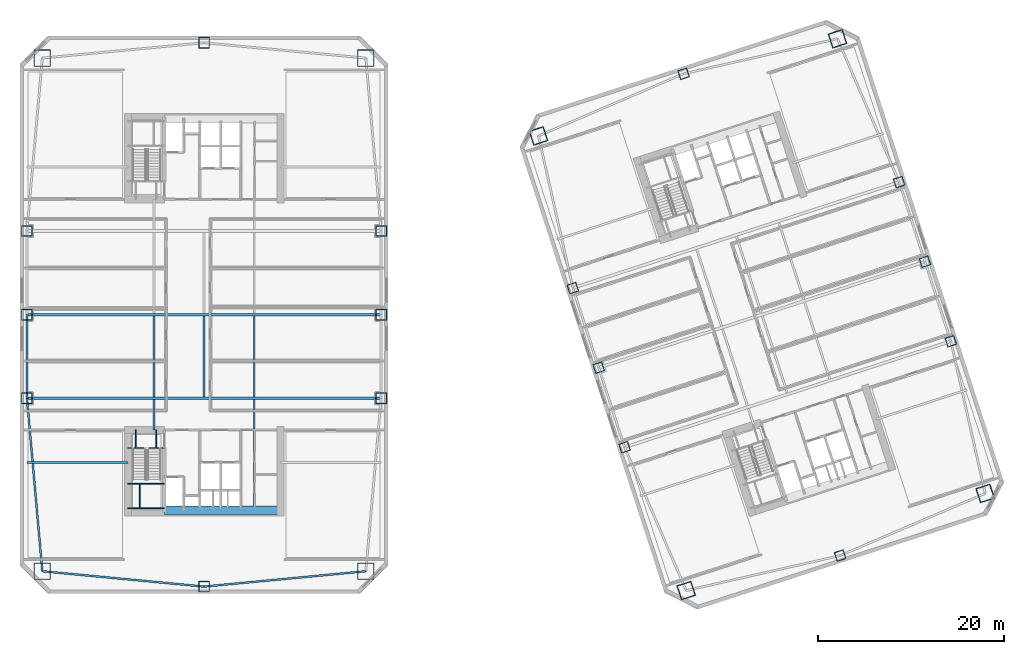
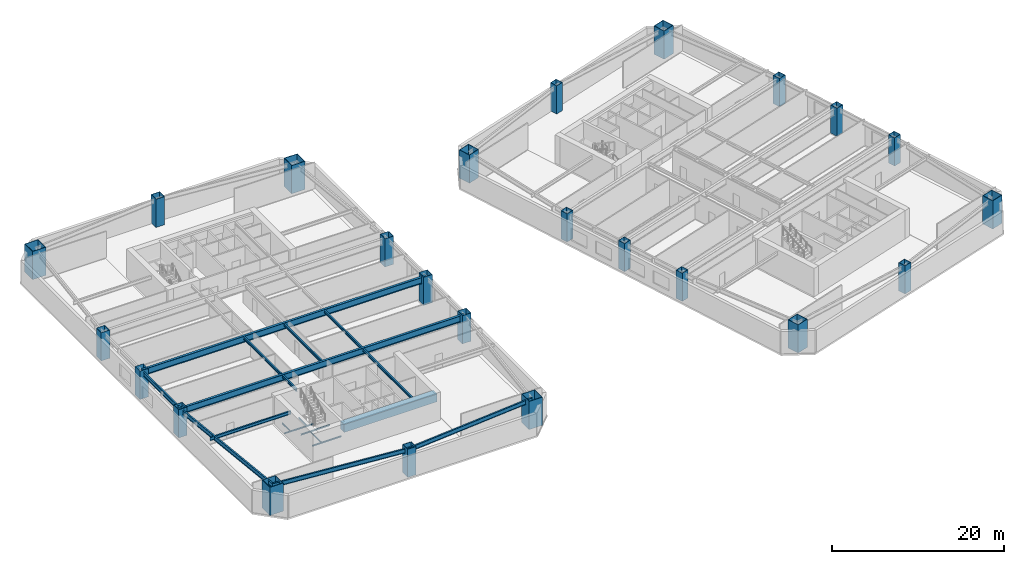
# One storey, part 1 of 24: 24 columns, 19 beams.
"""IFC4 building model written with IfcOpenShell, lengths in metres."""

import ifcopenshell
import ifcopenshell.guid

model = None  # the IFC model being written
_history = None  # IfcOwnerHistory: only IFC2X3 demands one
_inside = {}  # id of a spatial element -> (the spatial element, [elements in it])
_under = {}  # id of a project, library or spatial element -> (it, [spatial elements below it])
_declared = {}  # id of a project -> (the project, [libraries it declares])
_typed = {}  # id of a type object -> (the type object, [elements of that type])
_made_of = {}  # id of a material, layer set ... -> (it, [elements and type objects made of it])


def new_model(schema):
    """Start an empty IFC model of exactly this schema.

    Asked for "IFC4X3", IfcOpenShell would pick the latest addendum, in which some entities
    have other attributes; the version numbers below select the first issue.
    IFC2X3 requires an IfcOwnerHistory on every rooted entity: one is made here for all.
    """
    global model, _history
    if schema == "IFC4X3":
        model = ifcopenshell.file(schema_version=(4, 3, 0, 0))
    else:
        model = ifcopenshell.file(schema=schema)
    _inside.clear()
    _under.clear()
    _declared.clear()
    _typed.clear()
    _made_of.clear()
    _history = None
    if model.schema == "IFC2X3":
        org = make("IfcOrganization", Name="unknown")
        user = make(
            "IfcPersonAndOrganization",
            ThePerson=make("IfcPerson", FamilyName="unknown"),
            TheOrganization=org,
        )
        app = make(
            "IfcApplication",
            ApplicationDeveloper=org,
            Version="unknown",
            ApplicationFullName="unknown",
            ApplicationIdentifier="unknown",
        )
        _history = make(
            "IfcOwnerHistory",
            OwningUser=user,
            OwningApplication=app,
            ChangeAction="ADDED",
            CreationDate=0,
        )
    return model


def make(cls, **values):
    """One entity of the class cls with the attributes given. An attribute that is None is left unset."""
    return model.create_entity(
        cls, **{name: value for name, value in values.items() if value is not None}
    )


def rooted(cls, **values):
    """An entity with a GlobalId (a new one), such as an element, a storey or a relation."""
    return make(cls, GlobalId=ifcopenshell.guid.new(), OwnerHistory=_history, **values)


def si_unit(unit_type, name, prefix=None):
    """IfcSIUnit, for example si_unit("LENGTHUNIT", "METRE", prefix="MILLI")."""
    return make("IfcSIUnit", UnitType=unit_type, Prefix=prefix, Name=name)


def assignment(units):
    """IfcUnitAssignment: the units of a project."""
    return None if units is None else make("IfcUnitAssignment", Units=units)


def point(xyz):
    """IfcCartesianPoint."""
    return None if xyz is None else make("IfcCartesianPoint", Coordinates=xyz)


def direction(xyz):
    """IfcDirection."""
    return None if xyz is None else make("IfcDirection", DirectionRatios=xyz)


def frame(location, z_axis=None, x_axis=None):
    """IfcAxis2Placement3D, a coordinate frame: its origin and axes. An axis left out is left unset."""
    return make(
        "IfcAxis2Placement3D",
        Location=point(location),
        Axis=direction(z_axis),
        RefDirection=direction(x_axis),
    )


def frame_2d(location, x_axis=None):
    """IfcAxis2Placement2D, a coordinate frame in the plane: its origin and x axis."""
    return make(
        "IfcAxis2Placement2D", Location=point(location), RefDirection=direction(x_axis)
    )


def origin():
    """The frame at (0, 0, 0) with its axes left unset."""
    return frame((0.0, 0.0, 0.0))


def origin_2d():
    """The frame at (0, 0) in the plane with its x axis left unset."""
    return frame_2d((0.0, 0.0))


def place(relative_to, where):
    """IfcLocalPlacement: puts the frame where relative to a parent placement (None: the world)."""
    return make(
        "IfcLocalPlacement", PlacementRelTo=relative_to, RelativePlacement=where
    )


def context(
    kind, dimensions, precision=None, world=None, true_north=None, identifier=None
):
    """IfcGeometricRepresentationContext, for example the 3D "Model" context."""
    return make(
        "IfcGeometricRepresentationContext",
        ContextIdentifier=identifier,
        ContextType=kind,
        CoordinateSpaceDimension=dimensions,
        Precision=precision,
        WorldCoordinateSystem=world,
        TrueNorth=true_north,
    )


def subcontext(parent, identifier, kind, view, scale=None):
    """IfcGeometricRepresentationSubContext, for example "Body" below "Model"."""
    return make(
        "IfcGeometricRepresentationSubContext",
        ContextIdentifier=identifier,
        ContextType=kind,
        ParentContext=parent,
        TargetScale=scale,
        TargetView=view,
    )


def project(units=None, contexts=None):
    """IfcProject with its units and contexts."""
    return rooted(
        "IfcProject",
        Name="project",
        RepresentationContexts=contexts,
        UnitsInContext=assignment(units),
    )


def spatial(cls, under=None, at=None, **own):
    """A site, building, storey or space (cls), placed at a placement, below another one or the project."""
    s = rooted(cls, ObjectPlacement=at, **own)
    if under is not None:
        _under.setdefault(under.id(), (under, []))[1].append(s)
    return s


def profile(cls, at=None, kind="AREA", **sizes):
    """A parametric profile (cls). Its sizes go by their IFC names, for example OverallWidth=200.0."""
    return make(cls, ProfileType=kind, Position=at, **sizes)


def rectangle(**sizes):
    """IfcRectangleProfileDef."""
    return profile("IfcRectangleProfileDef", **sizes)


def hollow_rectangle(**sizes):
    """IfcRectangleHollowProfileDef."""
    return profile("IfcRectangleHollowProfileDef", **sizes)


def i_section(**sizes):
    """IfcIShapeProfileDef."""
    return profile("IfcIShapeProfileDef", **sizes)


def extrude(swept, where, along, depth):
    """IfcExtrudedAreaSolid: the profile swept, set in the frame where, extruded along a direction by depth."""
    return make(
        "IfcExtrudedAreaSolid",
        SweptArea=swept,
        Position=where,
        ExtrudedDirection=direction(along),
        Depth=depth,
    )


def shape(context_of_items, identifier, shape_type, items):
    """IfcShapeRepresentation: the items that make up one representation, for example the "Body"."""
    return make(
        "IfcShapeRepresentation",
        ContextOfItems=context_of_items,
        RepresentationIdentifier=identifier,
        RepresentationType=shape_type,
        Items=items,
    )


def material(Name=None, Category=None):
    """IfcMaterial."""
    return make("IfcMaterial", Name=Name, Category=Category)


def material_profile(
    of_material, cross_section, Name=None, Category=None, Priority=None
):
    """IfcMaterialProfile: a cross section and its material."""
    return make(
        "IfcMaterialProfile",
        Name=Name,
        Material=of_material,
        Profile=cross_section,
        Priority=Priority,
        Category=Category,
    )


def profile_set(profiles, Name=None, composite=None):
    """IfcMaterialProfileSet."""
    return make(
        "IfcMaterialProfileSet",
        Name=Name,
        MaterialProfiles=profiles,
        CompositeProfile=composite,
    )


def made_of(thing, what):
    """Note that an element or type object is made of a material, layer set ...; save() writes the relation."""
    if what is not None:
        _made_of.setdefault(what.id(), (what, []))[1].append(thing)
    return thing


def type_object(cls, material=None, **own):
    """A type object (cls), such as IfcWallType, which elements share."""
    return made_of(rooted(cls, **own), material)


def element(
    cls,
    number,
    at=None,
    inside=None,
    cuts=None,
    type_object=None,
    material=None,
    context=None,
    identifier="Body",
    shape_type=None,
    held_by="IfcProductDefinitionShape",
    body=None,
    shapes=None,
    **own,
):
    """One element of the class cls, such as IfcWall. Its Tag is "e" and its number.

    at: its placement. inside: the storey or other place that contains it. cuts: it is an
    opening in that element (IfcRelVoidsElement). A single representation is given by context,
    identifier, shape_type and body (its items); several are given by shapes. held_by: the class
    of the entity that holds the representations. save() writes the other relations.
    """
    e = rooted(cls, Tag="e%d" % number, ObjectPlacement=at, **own)
    if body is not None:
        shapes = [shape(context, identifier, shape_type, body)]
    if shapes is not None:
        e.Representation = make(held_by, Representations=shapes)
    if inside is not None:
        _inside.setdefault(inside.id(), (inside, []))[1].append(e)
    if cuts is not None:
        rooted(
            "IfcRelVoidsElement", RelatingBuildingElement=cuts, RelatedOpeningElement=e
        )
    if type_object is not None:
        _typed.setdefault(type_object.id(), (type_object, []))[1].append(e)
    return made_of(e, material)


def aggregate(whole, parts):
    """IfcRelAggregates: a whole, such as a stair, and the parts it consists of."""
    return rooted("IfcRelAggregates", RelatingObject=whole, RelatedObjects=parts)


def save(model, path):
    """Write the relations noted so far, then the file.

    IfcRelAggregates (storeys below a building ...), IfcRelContainedInSpatialStructure (elements
    in a storey), IfcRelDefinesByType, IfcRelAssociatesMaterial and IfcRelDeclares: one each for
    every whole, place, type object, material and project.
    """
    for whole, parts in _under.values():
        aggregate(whole, parts)
    for where, things in _inside.values():
        rooted(
            "IfcRelContainedInSpatialStructure",
            RelatedElements=things,
            RelatingStructure=where,
        )
    for kind, things in _typed.values():
        rooted("IfcRelDefinesByType", RelatedObjects=things, RelatingType=kind)
    for what, things in _made_of.values():
        rooted("IfcRelAssociatesMaterial", RelatedObjects=things, RelatingMaterial=what)
    for by, libraries in _declared.values():
        rooted("IfcRelDeclares", RelatingContext=by, RelatedDefinitions=libraries)
    model.write(path)


model = new_model("IFC4")

# Units and contexts
model_context = context("Model", 3, precision=1e-05, world=origin(), true_north=direction((0.0, 1.0)))
body_context = subcontext(model_context, "Body", "Model", "MODEL_VIEW")
ifc_project = project(units=[si_unit("LENGTHUNIT", "METRE"), si_unit("AREAUNIT", "SQUARE_METRE"), si_unit("VOLUMEUNIT", "CUBIC_METRE"), si_unit("PLANEANGLEUNIT", "RADIAN"), si_unit("MASSUNIT", "GRAM", prefix="KILO")], contexts=[model_context])

# Site, building, storey
site_placement = place(None, origin())
site = spatial("IfcSite", under=ifc_project, at=site_placement, CompositionType="ELEMENT")
building_placement = place(site_placement, origin())
building = spatial("IfcBuilding", under=site, at=building_placement, Name="Qiaolan Cultural Towers", CompositionType="ELEMENT")
storey_placement = place(building_placement, frame((0.0, 0.0, 30.0)))
storey = spatial("IfcBuildingStorey", under=building, at=storey_placement, Name="L06", CompositionType="ELEMENT", Elevation=30.0)

# Columns
ifc_material_1 = material(Name="Steel Q355B", Category="steel")
ifc_material_profile_1 = material_profile(ifc_material_1, hollow_rectangle(XDim=1.0, YDim=1.0, WallThickness=0.035888671875, at=origin_2d()), Name="BOX1000x1000x36")
ifc_profile_set_1 = profile_set([ifc_material_profile_1], Name="Steel Q355B")
column_type_1 = type_object("IfcColumnType", Name="COL-BOX1000x1000x36", PredefinedType="COLUMN", material=ifc_profile_set_1)
for number, where, z_axis, x_axis, name in (
    (1, (75.234130859375, 19.739013671875, 0.0), (0.0, 0.0, 1.0), (0.951056516295, 0.309016994375, 0.0), "L06 T2 Perimeter Column PC-W1"),
    (2, (72.453125, 28.298583984375, 0.0), (0.0, 0.0, 1.0), (0.951056516295, 0.309016994375, 0.0), "L06 T2 Perimeter Column PC-W2"),
    (3, (69.671875, 36.858154296875, 0.0), (0.0, 0.0, 1.0), (0.951056516295, 0.309016994375, 0.0), "L06 T2 Perimeter Column PC-W3"),
    (4, (110.328125, 31.141845703125, 0.0), (0.0, 0.0, 1.0), (0.951056516295, 0.309016994375, 0.0), "L06 T2 Perimeter Column PC-E1"),
    (5, (107.546875, 39.701416015625, 0.0), (0.0, 0.0, 1.0), (0.951056516295, 0.309016994375, 0.0), "L06 T2 Perimeter Column PC-E2"),
    (6, (104.765869140625, 48.260986328125, 0.0), (0.0, 0.0, 1.0), (0.951056516295, 0.309016994375, 0.0), "L06 T2 Perimeter Column PC-E3"),
    (7, (98.420654296875, 8.083740234375, 0.0), (0.0, 0.0, 1.0), (0.951056516295, 0.309016994375, 0.0), "L06 T2 Perimeter Column PC-S0"),
    (8, (81.579345703125, 59.916259765625, 0.0), (0.0, 0.0, 1.0), (0.951056516295, 0.309016994375, 0.0), "L06 T2 Perimeter Column PC-N0"),
):
    element("IfcColumn", number, at=place(storey_placement, frame(where, z_axis=z_axis, x_axis=x_axis)), inside=storey, type_object=column_type_1, Name=name, PredefinedType="COLUMN", context=body_context, shape_type="SweptSolid", body=[
        extrude(hollow_rectangle(XDim=1.0, YDim=1.0, WallThickness=0.035888671875, at=origin_2d()), origin(), (0.0, 0.0, 1.0), 4.0009765625),
    ])
ifc_material_2 = material(Name="Steel Q390GJB", Category="steel")
ifc_material_profile_2 = material_profile(ifc_material_2, hollow_rectangle(XDim=1.14990234375, YDim=1.14990234375, WallThickness=0.0400390625, at=origin_2d()), Name="BOX1150x1150x40")
ifc_profile_set_2 = profile_set([ifc_material_profile_2], Name="Steel Q390GJB")
column_type_2 = type_object("IfcColumnType", Name="COL-BOX1150x1150x40", PredefinedType="COLUMN", material=ifc_profile_set_2)
for number, where, z_axis, x_axis, name in (
    (9, (10.949951171875, 25.0, 0.0), (0.0, 0.0, 1.0), (1.0, 0.0, 0.0), "L06 T1 Perimeter Column PC-W1"),
    (10, (10.949951171875, 34.0, 0.0), (0.0, 0.0, 1.0), (1.0, 0.0, 0.0), "L06 T1 Perimeter Column PC-W2"),
    (11, (10.949951171875, 43.0, 0.0), (0.0, 0.0, 1.0), (1.0, 0.0, 0.0), "L06 T1 Perimeter Column PC-W3"),
    (12, (49.050048828125, 25.0, 0.0), (0.0, 0.0, 1.0), (1.0, 0.0, 0.0), "L06 T1 Perimeter Column PC-E1"),
    (13, (49.050048828125, 34.0, 0.0), (0.0, 0.0, 1.0), (1.0, 0.0, 0.0), "L06 T1 Perimeter Column PC-E2"),
    (14, (49.050048828125, 43.0, 0.0), (0.0, 0.0, 1.0), (1.0, 0.0, 0.0), "L06 T1 Perimeter Column PC-E3"),
    (15, (30.0, 4.75, 0.0), (0.0, 0.0, 1.0), (1.0, 0.0, 0.0), "L06 T1 Perimeter Column PC-S0"),
    (16, (30.0, 63.25, 0.0), (0.0, 0.0, 1.0), (1.0, 0.0, 0.0), "L06 T1 Perimeter Column PC-N0"),
):
    element("IfcColumn", number, at=place(storey_placement, frame(where, z_axis=z_axis, x_axis=x_axis)), inside=storey, type_object=column_type_2, Name=name, PredefinedType="COLUMN", context=body_context, shape_type="SweptSolid", body=[
        extrude(hollow_rectangle(XDim=1.14990234375, YDim=1.14990234375, WallThickness=0.0400390625, at=origin_2d()), origin(), (0.0, 0.0, 1.0), 4.0009765625),
    ])
ifc_material_3 = material(Name="Steel Q420GJB", Category="steel")
ifc_material_profile_3 = material_profile(ifc_material_3, hollow_rectangle(XDim=1.60009765625, YDim=1.60009765625, WallThickness=0.054931640625, at=origin_2d()), Name="BOX1600x1600x55")
ifc_profile_set_3 = profile_set([ifc_material_profile_3], Name="Steel Q420GJB")
column_type_3 = type_object("IfcColumnType", Name="COL-BOX1600x1600x55", PredefinedType="COLUMN", material=ifc_profile_set_3)
for number, where, z_axis, x_axis, name in (
    (17, (81.862548828125, 4.32275390625, 0.0), (0.0, 0.0, 1.0), (0.951056516295, 0.309016994375, 0.0), "L06 T2 Perimeter Column MC-SW"),
    (18, (114.027099609375, 14.77392578125, 0.0), (0.0, 0.0, 1.0), (0.951056516295, 0.309016994375, 0.0), "L06 T2 Perimeter Column MC-SE"),
    (19, (98.137451171875, 63.67724609375, 0.0), (0.0, 0.0, 1.0), (0.951056516295, 0.309016994375, 0.0), "L06 T2 Perimeter Column MC-NE"),
    (20, (65.972900390625, 53.22607421875, 0.0), (0.0, 0.0, 1.0), (0.951056516295, 0.309016994375, 0.0), "L06 T2 Perimeter Column MC-NW"),
):
    element("IfcColumn", number, at=place(storey_placement, frame(where, z_axis=z_axis, x_axis=x_axis)), inside=storey, type_object=column_type_3, Name=name, PredefinedType="COLUMN", context=body_context, shape_type="SweptSolid", body=[
        extrude(hollow_rectangle(XDim=1.60009765625, YDim=1.60009765625, WallThickness=0.054931640625, at=origin_2d()), origin(), (0.0, 0.0, 1.0), 4.0009765625),
    ])
ifc_material_4 = material(Name="Steel Q420GJB", Category="steel")
ifc_material_profile_4 = material_profile(ifc_material_4, hollow_rectangle(XDim=1.800048828125, YDim=1.800048828125, WallThickness=0.06005859375, at=origin_2d()), Name="BOX1800x1800x60")
ifc_profile_set_4 = profile_set([ifc_material_profile_4], Name="Steel Q420GJB")
column_type_4 = type_object("IfcColumnType", Name="COL-BOX1800x1800x60", PredefinedType="COLUMN", material=ifc_profile_set_4)
for number, where, z_axis, x_axis, name in (
    (21, (12.60009765625, 6.39990234375, 0.0), (0.0, 0.0, 1.0), (1.0, 0.0, 0.0), "L06 T1 Perimeter Column MC-SW"),
    (22, (47.39990234375, 6.39990234375, 0.0), (0.0, 0.0, 1.0), (1.0, 0.0, 0.0), "L06 T1 Perimeter Column MC-SE"),
    (23, (47.39990234375, 61.60009765625, 0.0), (0.0, 0.0, 1.0), (1.0, 0.0, 0.0), "L06 T1 Perimeter Column MC-NE"),
    (24, (12.60009765625, 61.60009765625, 0.0), (0.0, 0.0, 1.0), (1.0, 0.0, 0.0), "L06 T1 Perimeter Column MC-NW"),
):
    element("IfcColumn", number, at=place(storey_placement, frame(where, z_axis=z_axis, x_axis=x_axis)), inside=storey, type_object=column_type_4, Name=name, PredefinedType="COLUMN", context=body_context, shape_type="SweptSolid", body=[
        extrude(hollow_rectangle(XDim=1.800048828125, YDim=1.800048828125, WallThickness=0.06005859375, at=origin_2d()), origin(), (0.0, 0.0, 1.0), 4.0009765625),
    ])

# Beams
ifc_material_5 = material(Name="Steel Q355B", Category="steel")
ifc_material_profile_5 = material_profile(ifc_material_5, i_section(OverallWidth=0.300048828125, OverallDepth=0.89990234375, WebThickness=0.01611328125, FlangeThickness=0.028076171875, at=origin_2d()), Name="HN900x300x16x28")
ifc_profile_set_5 = profile_set([ifc_material_profile_5], Name="Steel Q355B")
beam_type_1 = type_object("IfcBeamType", Name="BM-HN900x300x16x28", PredefinedType="BEAM", material=ifc_profile_set_5)
for number, where, z_axis, x_axis, name in (
    (25, (10.949951171875, 25.0, 3.2900390625), (1.0, 0.0, 0.0), (0.0, 1.0, 0.0), "L06 T1 Primary Transverse Girder V1"),
    (26, (10.949951171875, 34.0, 3.2900390625), (1.0, 0.0, 0.0), (0.0, 1.0, 0.0), "L06 T1 Primary Transverse Girder V2"),
):
    element("IfcBeam", number, at=place(storey_placement, frame(where, z_axis=z_axis, x_axis=x_axis)), inside=storey, type_object=beam_type_1, Name=name, PredefinedType="BEAM", context=body_context, shape_type="SweptSolid", body=[
        extrude(i_section(OverallWidth=0.300048828125, OverallDepth=0.89990234375, WebThickness=0.01611328125, FlangeThickness=0.028076171875, at=origin_2d()), origin(), (0.0, 0.0, 1.0), 38.10009765625),
    ])
ifc_material_6 = material(Name="Steel Q355B", Category="steel")
ifc_material_profile_6 = material_profile(ifc_material_6, i_section(OverallWidth=0.199951171875, OverallDepth=0.39990234375, WebThickness=0.008056640625, FlangeThickness=0.012939453125, at=origin_2d()), Name="HN400x200x8x13")
ifc_profile_set_6 = profile_set([ifc_material_profile_6], Name="Steel Q355B")
beam_type_2 = type_object("IfcBeamType", Name="BM-JST-HN400x200x8x13", PredefinedType="JOIST", material=ifc_profile_set_6)
beam_1_placement = place(storey_placement, frame((24.60009765625, 21.60009765625, 3.5400390625), z_axis=(0.0, 1.0, 0.0), x_axis=(-1.0, 0.0, 0.0)))
element("IfcBeam", 27, at=beam_1_placement, inside=storey, type_object=beam_type_2, Name="L06 T1 Secondary Floor Joist U1-1", PredefinedType="JOIST", context=body_context, shape_type="SweptSolid", body=[
    extrude(i_section(OverallWidth=0.199951171875, OverallDepth=0.39990234375, WebThickness=0.008056640625, FlangeThickness=0.012939453125, at=origin_2d()), origin(), (0.0, 0.0, 1.0), 3.25),
])
for number, where, z_axis, x_axis, name in (
    (28, (24.60009765625, 25.14990234375, 3.5400390625), (0.0, 1.0, 0.0), (-1.0, 0.0, 0.0), "L06 T1 Secondary Floor Joist U1-2"),
    (29, (30.0, 25.14990234375, 3.5400390625), (0.0, 1.0, 0.0), (-1.0, 0.0, 0.0), "L06 T1 Secondary Floor Joist U2-2"),
):
    element("IfcBeam", number, at=place(storey_placement, frame(where, z_axis=z_axis, x_axis=x_axis)), inside=storey, type_object=beam_type_2, Name=name, PredefinedType="JOIST", context=body_context, shape_type="SweptSolid", body=[
        extrude(i_section(OverallWidth=0.199951171875, OverallDepth=0.39990234375, WebThickness=0.008056640625, FlangeThickness=0.012939453125, at=origin_2d()), origin(), (0.0, 0.0, 1.0), 8.7001953125),
    ])
beam_2_placement = place(storey_placement, frame((35.39990234375, 13.39990234375, 3.5400390625), z_axis=(0.0, 1.0, 0.0), x_axis=(-1.0, 0.0, 0.0)))
element("IfcBeam", 30, at=beam_2_placement, inside=storey, type_object=beam_type_2, Name="L06 T1 Secondary Floor Joist U3-1", PredefinedType="JOIST", context=body_context, shape_type="SweptSolid", body=[
    extrude(i_section(OverallWidth=0.199951171875, OverallDepth=0.39990234375, WebThickness=0.008056640625, FlangeThickness=0.012939453125, at=origin_2d()), origin(), (0.0, 0.0, 1.0), 11.4501953125),
])
beam_3_placement = place(storey_placement, frame((35.39990234375, 25.14990234375, 3.5400390625), z_axis=(0.0, 1.0, 0.0), x_axis=(-1.0, 0.0, 0.0)))
element("IfcBeam", 31, at=beam_3_placement, inside=storey, type_object=beam_type_2, Name="L06 T1 Secondary Floor Joist U3-2", PredefinedType="JOIST", context=body_context, shape_type="SweptSolid", body=[
    extrude(i_section(OverallWidth=0.199951171875, OverallDepth=0.39990234375, WebThickness=0.008056640625, FlangeThickness=0.012939453125, at=origin_2d()), origin(), (0.0, 0.0, 1.0), 8.7001953125),
])
ifc_material_7 = material(Name="Steel Q355B", Category="steel")
ifc_material_profile_7 = material_profile(ifc_material_7, i_section(OverallWidth=0.199951171875, OverallDepth=0.449951171875, WebThickness=0.009033203125, FlangeThickness=0.013916015625, at=origin_2d()), Name="HN450x200x9x14")
ifc_profile_set_7 = profile_set([ifc_material_profile_7], Name="Steel Q355B")
beam_type_3 = type_object("IfcBeamType", Name="BM-LNT-HN450x200x9x14", PredefinedType="LINTEL", material=ifc_profile_set_7)
beam_4_placement = place(storey_placement, frame((21.800048828125, 18.10009765625, 3.514892578125), z_axis=(-1.0, 0.0, 0.0), x_axis=(0.0, -1.0, 0.0)))
element("IfcBeam", 32, at=beam_4_placement, inside=storey, type_object=beam_type_3, Name="L06 T1 Core Flank Tie Lintel WS", PredefinedType="LINTEL", context=body_context, shape_type="SweptSolid", body=[
    extrude(i_section(OverallWidth=0.199951171875, OverallDepth=0.449951171875, WebThickness=0.009033203125, FlangeThickness=0.013916015625, at=origin_2d()), origin(), (0.0, 0.0, 1.0), 10.85009765625),
])
ifc_material_8 = material(Name="Concrete C50", Category="concrete")
ifc_material_profile_8 = material_profile(ifc_material_8, rectangle(XDim=0.89990234375, YDim=1.10009765625, at=origin_2d()), Name="RC900x1100")
ifc_profile_set_8 = profile_set([ifc_material_profile_8], Name="Concrete C50")
beam_type_4 = type_object("IfcBeamType", Name="BM-RC900x1100", PredefinedType="BEAM", material=ifc_profile_set_8)
beam_5_placement = place(storey_placement, frame((25.719970703125, 12.949951171875, 3.18994140625), z_axis=(1.0, 0.0, 0.0), x_axis=(0.0, 1.0, 0.0)))
element("IfcBeam", 33, at=beam_5_placement, inside=storey, type_object=beam_type_4, Name="L06 T1 Core Header Girder S", PredefinedType="BEAM", context=body_context, shape_type="SweptSolid", body=[
    extrude(rectangle(XDim=0.89990234375, YDim=1.10009765625, at=origin_2d()), origin(), (0.0, 0.0, 1.0), 12.47998046875),
])
ifc_material_9 = material(Name="Steel Q355B", Category="steel")
ifc_material_profile_9 = material_profile(ifc_material_9, i_section(OverallWidth=0.199951171875, OverallDepth=0.60009765625, WebThickness=0.010986328125, FlangeThickness=0.01708984375, at=origin_2d()), Name="HN600x200x11x17")
ifc_profile_set_9 = profile_set([ifc_material_profile_9], Name="Steel Q355B")
beam_type_5 = type_object("IfcBeamType", Name="BM-SPD-HN600x200x11x17", PredefinedType="SPANDREL", material=ifc_profile_set_9)
for number, where, z_axis, x_axis, name in (
    (34, (12.60009765625, 6.39990234375, 3.43994140625), (0.995534437156, -0.094399070104, 0.0), (0.094399070104, 0.995534437156, 0.0), "L06 T1 Perimeter Spandrel Beam 1"),
    (35, (30.0, 4.75, 3.43994140625), (0.995534437156, 0.094399070104, 0.0), (-0.094399070104, 0.995534437156, 0.0), "L06 T1 Perimeter Spandrel Beam 2"),
):
    element("IfcBeam", number, at=place(storey_placement, frame(where, z_axis=z_axis, x_axis=x_axis)), inside=storey, type_object=beam_type_5, Name=name, PredefinedType="SPANDREL", context=body_context, shape_type="SweptSolid", body=[
        extrude(i_section(OverallWidth=0.199951171875, OverallDepth=0.60009765625, WebThickness=0.010986328125, FlangeThickness=0.01708984375, at=origin_2d()), origin(), (0.0, 0.0, 1.0), 17.47802734375),
    ])
beam_6_placement = place(storey_placement, frame((10.949951171875, 34.0, 3.43994140625), z_axis=(0.0, -1.0, 0.0), x_axis=(1.0, 0.0, 0.0)))
element("IfcBeam", 36, at=beam_6_placement, inside=storey, type_object=beam_type_5, Name="L06 T1 Perimeter Spandrel Beam 11", PredefinedType="SPANDREL", context=body_context, shape_type="SweptSolid", body=[
    extrude(i_section(OverallWidth=0.199951171875, OverallDepth=0.60009765625, WebThickness=0.010986328125, FlangeThickness=0.01708984375, at=origin_2d()), origin(), (0.0, 0.0, 1.0), 9.0),
])
beam_7_placement = place(storey_placement, frame((10.949951171875, 25.0, 3.43994140625), z_axis=(0.08837000091, -0.996087718496, 0.0), x_axis=(0.996087718496, 0.08837000091, 0.0)))
element("IfcBeam", 37, at=beam_7_placement, inside=storey, type_object=beam_type_5, Name="L06 T1 Perimeter Spandrel Beam 12", PredefinedType="SPANDREL", context=body_context, shape_type="SweptSolid", body=[
    extrude(i_section(OverallWidth=0.199951171875, OverallDepth=0.60009765625, WebThickness=0.010986328125, FlangeThickness=0.01708984375, at=origin_2d()), origin(), (0.0, 0.0, 1.0), 18.673095703125),
])
ifc_material_10 = material(Name="Steel Q355B", Category="steel")
ifc_material_profile_10 = material_profile(ifc_material_10, i_section(OverallWidth=0.10009765625, OverallDepth=0.199951171875, WebThickness=0.005615234375, FlangeThickness=0.008056640625, at=origin_2d()), Name="HN200x100x5.5x8")
ifc_profile_set_10 = profile_set([ifc_material_profile_10], Name="Steel Q355B")
beam_type_6 = type_object("IfcBeamType", Name="BM-STTRIM-200", PredefinedType="BEAM", material=ifc_profile_set_10)
beam_8_placement = place(storey_placement, frame((21.800048828125, 19.659912109375, -0.4599609375), z_axis=(1.0, 0.0, 0.0), x_axis=(0.0, 1.0, 0.0)))
element("IfcBeam", 38, at=beam_8_placement, inside=storey, type_object=beam_type_6, Name="L06 ST-W1 Floor Landing Header Beam", PredefinedType="BEAM", context=body_context, shape_type="SweptSolid", body=[
    extrude(i_section(OverallWidth=0.10009765625, OverallDepth=0.199951171875, WebThickness=0.005615234375, FlangeThickness=0.008056640625, at=origin_2d()), origin(), (0.0, 0.0, 1.0), 3.919921875),
])
for number, where, z_axis, x_axis, name in (
    (39, (22.64990234375, 21.60009765625, -0.4599609375), (0.0, -1.0, 0.0), (1.0, 0.0, 0.0), "L06 ST-W1 Floor Landing Stringer 1"),
    (40, (24.85009765625, 21.60009765625, -0.4599609375), (0.0, -1.0, 0.0), (1.0, 0.0, 0.0), "L06 ST-W1 Floor Landing Stringer 2"),
):
    element("IfcBeam", number, at=place(storey_placement, frame(where, z_axis=z_axis, x_axis=x_axis)), inside=storey, type_object=beam_type_6, Name=name, PredefinedType="BEAM", context=body_context, shape_type="SweptSolid", body=[
        extrude(i_section(OverallWidth=0.10009765625, OverallDepth=0.199951171875, WebThickness=0.005615234375, FlangeThickness=0.008056640625, at=origin_2d()), origin(), (0.0, 0.0, 1.0), 1.940185546875),
    ])
for number, where, z_axis, x_axis, name in (
    (41, (21.800048828125, 15.811279296875, 1.699951171875), (1.0, 0.0, 0.0), (0.0, 1.0, 0.0), "L06 ST-W1 Stair Landing Support Beam 1-1"),
    (42, (21.800048828125, 13.179931640625, 1.699951171875), (1.0, 0.0, 0.0), (0.0, 1.0, 0.0), "L06 ST-W1 Stair Landing Support Beam 1-2"),
):
    element("IfcBeam", number, at=place(storey_placement, frame(where, z_axis=z_axis, x_axis=x_axis)), inside=storey, type_object=beam_type_6, Name=name, PredefinedType="BEAM", context=body_context, shape_type="SweptSolid", body=[
        extrude(i_section(OverallWidth=0.10009765625, OverallDepth=0.199951171875, WebThickness=0.005615234375, FlangeThickness=0.008056640625, at=origin_2d()), origin(), (0.0, 0.0, 1.0), 3.919921875),
    ])
beam_9_placement = place(storey_placement, frame((23.070068359375, 15.811279296875, 1.699951171875), z_axis=(0.0, -1.0, 0.0), x_axis=(1.0, 0.0, 0.0)))
element("IfcBeam", 43, at=beam_9_placement, inside=storey, type_object=beam_type_6, Name="L06 ST-W1 Stair Landing Trimmer 1", PredefinedType="BEAM", context=body_context, shape_type="SweptSolid", body=[
    extrude(i_section(OverallWidth=0.10009765625, OverallDepth=0.199951171875, WebThickness=0.005615234375, FlangeThickness=0.008056640625, at=origin_2d()), origin(), (0.0, 0.0, 1.0), 2.63134765625),
])

save(model, "model.ifc")
